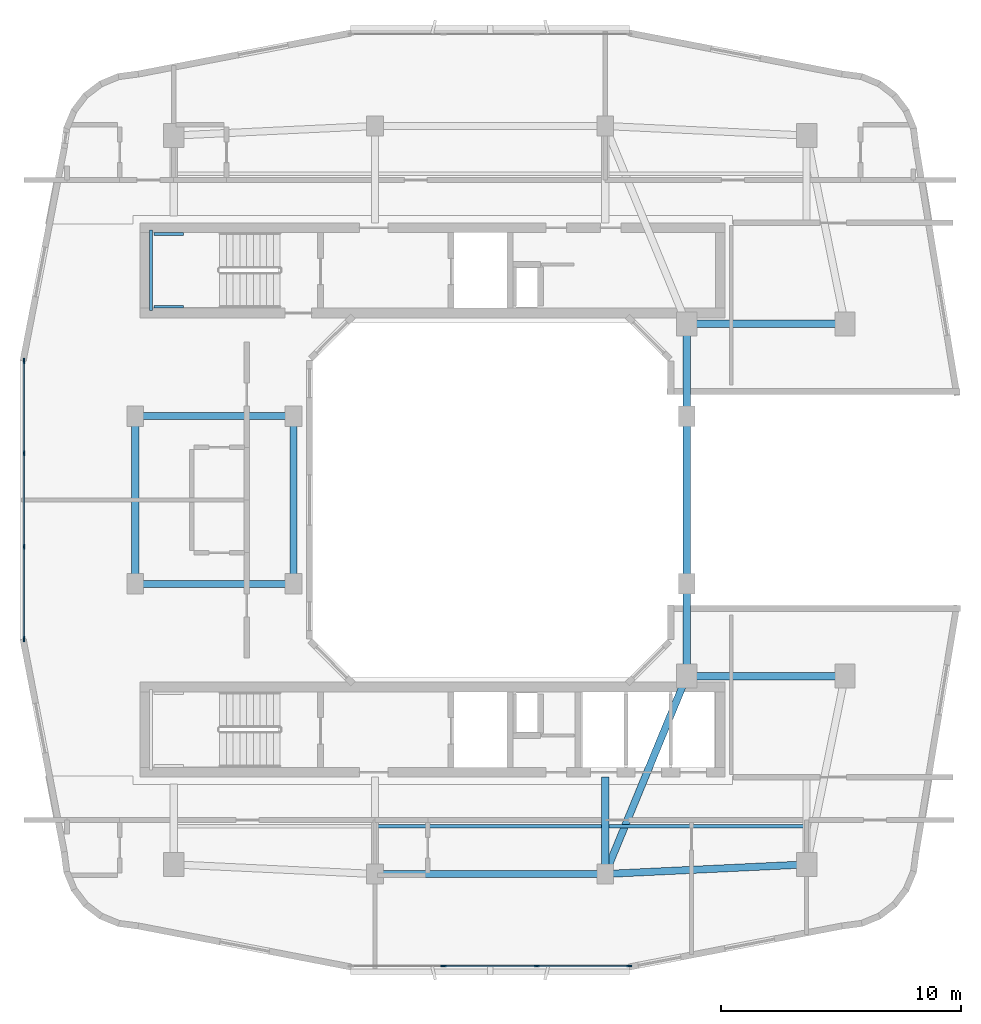
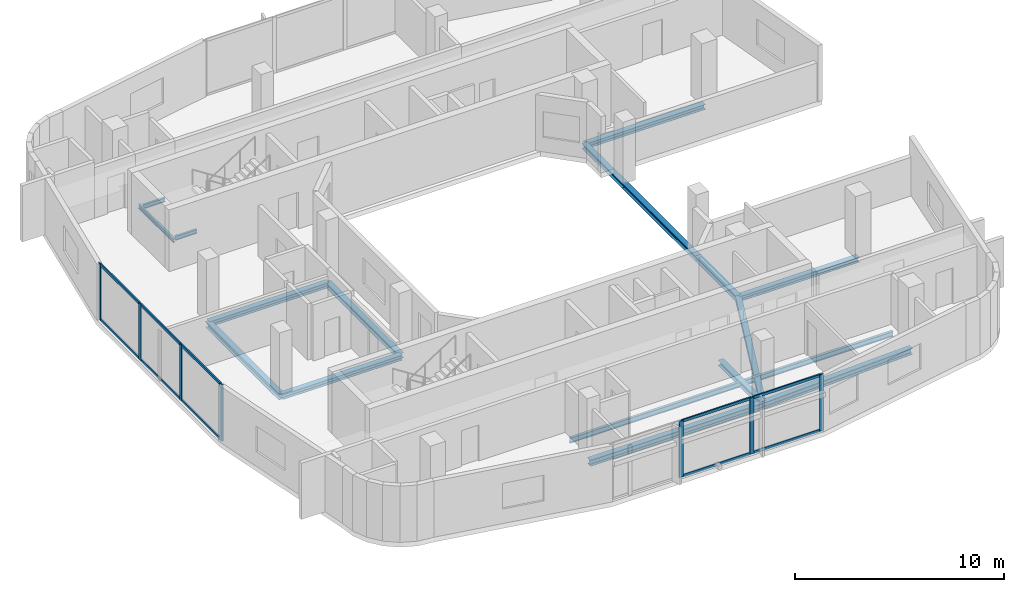
# One storey, part 2 of 12: 18 beams, 17 members, 2 elements without a shape of their own.
"""IFC4 building model written with IfcOpenShell, lengths in metres."""

from ifc_helpers import new_model, si_unit, derived_unit, direction, frame, origin, origin_2d, place, context, subcontext, project, spatial, rectangle, i_section, extrude, material, layer, layer_set, material_profile, profile_set, type_object, element, aggregate, save


model = new_model("IFC4")

# Units and contexts
model_context = context("Model", 3, precision=1e-05, world=origin(), true_north=direction((0.0, 1.0)))
body_context = subcontext(model_context, "Body", "Model", "MODEL_VIEW")
ifc_project = project(units=[si_unit("LENGTHUNIT", "METRE"), si_unit("AREAUNIT", "SQUARE_METRE"), si_unit("VOLUMEUNIT", "CUBIC_METRE"), si_unit("PLANEANGLEUNIT", "RADIAN"), si_unit("MASSUNIT", "GRAM", prefix="KILO"), derived_unit("THERMALTRANSMITTANCEUNIT", [(si_unit("POWERUNIT", "WATT"), 1), (si_unit("LENGTHUNIT", "METRE"), -2), (si_unit("THERMODYNAMICTEMPERATUREUNIT", "KELVIN"), -1)])], contexts=[model_context])

# Site, building, storey
site_placement = place(None, origin())
site = spatial("IfcSite", under=ifc_project, at=site_placement, CompositionType="ELEMENT")
building_placement = place(site_placement, origin())
building = spatial("IfcBuilding", under=site, at=building_placement, Name="Kivonza Crest Hotel", CompositionType="ELEMENT")
storey_placement = place(building_placement, frame((0.0, 0.0, 195.5)))
storey = spatial("IfcBuildingStorey", under=building, at=storey_placement, Name="L53", CompositionType="ELEMENT", Elevation=195.5)

# Beams
ifc_material_1 = material(Name="Steel S355", Category="steel")
ifc_material_profile_1 = material_profile(ifc_material_1, i_section(OverallWidth=0.300048828125, OverallDepth=0.300048828125, WebThickness=0.010986328125, FlangeThickness=0.01904296875, FilletRadius=0.027099609375, at=origin_2d()), Name="HEB 300")
ifc_profile_set_1 = profile_set([ifc_material_profile_1], Name="Steel S355")
beam_type_1 = type_object("IfcBeamType", Name="BM-HEB300", PredefinedType="BEAM", material=ifc_profile_set_1)
for number, where, z_axis, x_axis, name in (
    (1, (6.199951171875, 21.5, -0.429931640625), (1.0, 0.0, 0.0), (0.0, 1.0, 0.0), "Tower T1 L53 primary girder W1-WL1"),
    (2, (6.199951171875, 28.5, -0.429931640625), (1.0, 0.0, 0.0), (0.0, 1.0, 0.0), "Tower T1 L53 primary girder W2-WL2"),
):
    element("IfcBeam", number, at=place(storey_placement, frame(where, z_axis=z_axis, x_axis=x_axis)), inside=storey, type_object=beam_type_1, Name=name, PredefinedType="BEAM", context=body_context, shape_type="SweptSolid", body=[
        extrude(i_section(OverallWidth=0.300048828125, OverallDepth=0.300048828125, WebThickness=0.010986328125, FlangeThickness=0.01904296875, FilletRadius=0.027099609375, at=origin_2d()), origin(), (0.0, 0.0, 1.0), 6.60009765625),
    ])
beam_1_placement = place(storey_placement, frame((12.800048828125, 21.5, -0.429931640625), z_axis=(0.0, 1.0, 0.0), x_axis=(-1.0, 0.0, 0.0)))
element("IfcBeam", 3, at=beam_1_placement, inside=storey, type_object=beam_type_1, Name="Tower T1 L53 primary girder WL1-WL2", PredefinedType="BEAM", context=body_context, shape_type="SweptSolid", body=[
    extrude(i_section(OverallWidth=0.300048828125, OverallDepth=0.300048828125, WebThickness=0.010986328125, FlangeThickness=0.01904296875, FilletRadius=0.027099609375, at=origin_2d()), origin(), (0.0, 0.0, 1.0), 7.0),
])
beam_2_placement = place(storey_placement, frame((25.800048828125, 9.39990234375, -0.429931640625), z_axis=(0.381022260404, 0.924565864109, 0.0), x_axis=(-0.924565864109, 0.381022260404, 0.0)))
element("IfcBeam", 4, at=beam_2_placement, inside=storey, type_object=beam_type_1, Name="Tower T1 L53 primary girder S1-TSE", PredefinedType="BEAM", context=body_context, shape_type="SweptSolid", body=[
    extrude(i_section(OverallWidth=0.300048828125, OverallDepth=0.300048828125, WebThickness=0.010986328125, FlangeThickness=0.01904296875, FilletRadius=0.027099609375, at=origin_2d()), origin(), (0.0, 0.0, 1.0), 8.923095703125),
])
for number, where, z_axis, x_axis, name in (
    (5, (29.199951171875, 17.64990234375, -0.429931640625), (1.0, 0.0, 0.0), (0.0, 1.0, 0.0), "Tower T1 L53 primary girder TSE-PSE"),
    (6, (29.199951171875, 32.35009765625, -0.429931640625), (1.0, 0.0, 0.0), (0.0, 1.0, 0.0), "Tower T1 L53 primary girder TNE-PNE"),
):
    element("IfcBeam", number, at=place(storey_placement, frame(where, z_axis=z_axis, x_axis=x_axis)), inside=storey, type_object=beam_type_1, Name=name, PredefinedType="BEAM", context=body_context, shape_type="SweptSolid", body=[
        extrude(i_section(OverallWidth=0.300048828125, OverallDepth=0.300048828125, WebThickness=0.010986328125, FlangeThickness=0.01904296875, FilletRadius=0.027099609375, at=origin_2d()), origin(), (0.0, 0.0, 1.0), 6.60009765625),
    ])
beam_3_placement = place(storey_placement, frame((29.199951171875, 21.5, -0.429931640625), z_axis=(0.0, 1.0, 0.0), x_axis=(-1.0, 0.0, 0.0)))
element("IfcBeam", 7, at=beam_3_placement, inside=storey, type_object=beam_type_1, Name="Tower T1 L53 primary girder WR1-WR2", PredefinedType="BEAM", context=body_context, shape_type="SweptSolid", body=[
    extrude(i_section(OverallWidth=0.300048828125, OverallDepth=0.300048828125, WebThickness=0.010986328125, FlangeThickness=0.01904296875, FilletRadius=0.027099609375, at=origin_2d()), origin(), (0.0, 0.0, 1.0), 7.0),
])
for number, where, z_axis, x_axis, name in (
    (8, (29.199951171875, 17.64990234375, -0.429931640625), (0.0, 1.0, 0.0), (-1.0, 0.0, 0.0), "Tower T1 L53 primary girder TSE-WR1"),
    (9, (29.199951171875, 28.5, -0.429931640625), (0.0, 1.0, 0.0), (-1.0, 0.0, 0.0), "Tower T1 L53 primary girder WR2-TNE"),
):
    element("IfcBeam", number, at=place(storey_placement, frame(where, z_axis=z_axis, x_axis=x_axis)), inside=storey, type_object=beam_type_1, Name=name, PredefinedType="BEAM", context=body_context, shape_type="SweptSolid", body=[
        extrude(i_section(OverallWidth=0.300048828125, OverallDepth=0.300048828125, WebThickness=0.010986328125, FlangeThickness=0.01904296875, FilletRadius=0.027099609375, at=origin_2d()), origin(), (0.0, 0.0, 1.0), 3.85009765625),
    ])
beam_4_placement = place(storey_placement, frame((25.800048828125, 9.39990234375, -0.429931640625), z_axis=(0.0, 1.0, 0.0), x_axis=(-1.0, 0.0, 0.0)))
element("IfcBeam", 10, at=beam_4_placement, inside=storey, type_object=beam_type_1, Name="Tower T1 L53 radial core girder RS2", PredefinedType="BEAM", context=body_context, shape_type="SweptSolid", body=[
    extrude(i_section(OverallWidth=0.300048828125, OverallDepth=0.300048828125, WebThickness=0.010986328125, FlangeThickness=0.01904296875, FilletRadius=0.027099609375, at=origin_2d()), origin(), (0.0, 0.0, 1.0), 4.050048828125),
])
ifc_material_profile_2 = material_profile(ifc_material_1, i_section(OverallWidth=0.300048828125, OverallDepth=0.360107421875, WebThickness=0.012451171875, FlangeThickness=0.0224609375, FilletRadius=0.027099609375, at=origin_2d()), Name="HEB 360")
ifc_profile_set_2 = profile_set([ifc_material_profile_2], Name="Steel S355")
beam_type_2 = type_object("IfcBeamType", Name="BM-HEB360", PredefinedType="SPANDREL", material=ifc_profile_set_2)
beam_5_placement = place(storey_placement, frame((16.199951171875, 9.39990234375, -0.4599609375), z_axis=(1.0, 0.0, 0.0), x_axis=(0.0, 1.0, 0.0)))
element("IfcBeam", 11, at=beam_5_placement, inside=storey, type_object=beam_type_2, Name="Tower T1 L53 perimeter spandrel S1-S2", PredefinedType="SPANDREL", context=body_context, shape_type="SweptSolid", body=[
    extrude(i_section(OverallWidth=0.300048828125, OverallDepth=0.360107421875, WebThickness=0.012451171875, FlangeThickness=0.0224609375, FilletRadius=0.027099609375, at=origin_2d()), origin(), (0.0, 0.0, 1.0), 9.60009765625),
])
beam_6_placement = place(storey_placement, frame((25.800048828125, 9.39990234375, -0.4599609375), z_axis=(0.998867283688, 0.047583080799, 0.0), x_axis=(-0.047583080799, 0.998867283688, 0.0)))
element("IfcBeam", 12, at=beam_6_placement, inside=storey, type_object=beam_type_2, Name="Tower T1 L53 perimeter spandrel S2-SE", PredefinedType="SPANDREL", context=body_context, shape_type="SweptSolid", body=[
    extrude(i_section(OverallWidth=0.300048828125, OverallDepth=0.360107421875, WebThickness=0.012451171875, FlangeThickness=0.0224609375, FilletRadius=0.027099609375, at=origin_2d()), origin(), (0.0, 0.0, 1.0), 8.409423828125),
])
beam_7_placement = place(storey_placement, frame((6.199951171875, 28.5, -0.4599609375), z_axis=(0.0, -1.0, 0.0), x_axis=(1.0, 0.0, 0.0)))
element("IfcBeam", 13, at=beam_7_placement, inside=storey, type_object=beam_type_2, Name="Tower T1 L53 perimeter spandrel W2-W1", PredefinedType="SPANDREL", context=body_context, shape_type="SweptSolid", body=[
    extrude(i_section(OverallWidth=0.300048828125, OverallDepth=0.360107421875, WebThickness=0.012451171875, FlangeThickness=0.0224609375, FilletRadius=0.027099609375, at=origin_2d()), origin(), (0.0, 0.0, 1.0), 7.0),
])
ifc_material_profile_3 = material_profile(ifc_material_1, i_section(OverallWidth=0.14990234375, OverallDepth=0.300048828125, WebThickness=0.007080078125, FlangeThickness=0.0107421875, FilletRadius=0.014892578125, at=origin_2d()), Name="IPE 300")
ifc_profile_set_3 = profile_set([ifc_material_profile_3], Name="Steel S355")
beam_type_3 = type_object("IfcBeamType", Name="BM-IPE300", PredefinedType="JOIST", material=ifc_profile_set_3)
beam_8_placement = place(storey_placement, frame((16.280029296875, 11.39990234375, -0.429931640625), z_axis=(1.0, 0.0, 0.0), x_axis=(0.0, 1.0, 0.0)))
element("IfcBeam", 14, at=beam_8_placement, inside=storey, type_object=beam_type_3, Name="Tower T1 L53 South-Mid floor joist", PredefinedType="JOIST", context=body_context, shape_type="SweptSolid", body=[
    extrude(i_section(OverallWidth=0.14990234375, OverallDepth=0.300048828125, WebThickness=0.007080078125, FlangeThickness=0.0107421875, FilletRadius=0.014892578125, at=origin_2d()), origin(), (0.0, 0.0, 1.0), 9.43994140625),
])
beam_9_placement = place(storey_placement, frame((25.8798828125, 11.39990234375, -0.429931640625), z_axis=(1.0, 0.0, 0.0), x_axis=(0.0, 1.0, 0.0)))
element("IfcBeam", 15, at=beam_9_placement, inside=storey, type_object=beam_type_3, Name="Tower T1 L53 South-East floor joist", PredefinedType="JOIST", context=body_context, shape_type="SweptSolid", body=[
    extrude(i_section(OverallWidth=0.14990234375, OverallDepth=0.300048828125, WebThickness=0.007080078125, FlangeThickness=0.0107421875, FilletRadius=0.014892578125, at=origin_2d()), origin(), (0.0, 0.0, 1.0), 8.240234375),
])
ifc_material_profile_4 = material_profile(ifc_material_1, i_section(OverallWidth=0.1201171875, OverallDepth=0.239990234375, WebThickness=0.006103515625, FlangeThickness=0.009765625, FilletRadius=0.014892578125, at=origin_2d()), Name="IPE 240")
ifc_profile_set_4 = profile_set([ifc_material_profile_4], Name="Steel S355")
beam_type_4 = type_object("IfcBeamType", Name="BM-LLDG-240", PredefinedType="BEAM", material=ifc_profile_set_4)
beam_10_placement = place(storey_placement, frame((6.860107421875, 32.89990234375, 1.47998046875), z_axis=(0.0, 1.0, 0.0), x_axis=(-1.0, 0.0, 0.0)))
element("IfcBeam", 16, at=beam_10_placement, inside=storey, type_object=beam_type_4, Name="Stair ST-T1-N L53 West landing corbel", PredefinedType="BEAM", context=body_context, shape_type="SweptSolid", body=[
    extrude(i_section(OverallWidth=0.1201171875, OverallDepth=0.239990234375, WebThickness=0.006103515625, FlangeThickness=0.009765625, FilletRadius=0.014892578125, at=origin_2d()), origin(), (0.0, 0.0, 1.0), 3.360107421875),
])
for number, where, z_axis, x_axis, name in (
    (17, (6.989990234375, 33.06005859375, 1.47998046875), (1.0, 0.0, 0.0), (0.0, 1.0, 0.0), "Stair ST-T1-N L53 South landing corbel"),
    (18, (6.989990234375, 36.10009765625, 1.47998046875), (1.0, 0.0, 0.0), (0.0, 1.0, 0.0), "Stair ST-T1-N L53 North landing corbel"),
):
    element("IfcBeam", number, at=place(storey_placement, frame(where, z_axis=z_axis, x_axis=x_axis)), inside=storey, type_object=beam_type_4, Name=name, PredefinedType="BEAM", context=body_context, shape_type="SweptSolid", body=[
        extrude(i_section(OverallWidth=0.1201171875, OverallDepth=0.239990234375, WebThickness=0.006103515625, FlangeThickness=0.009765625, FilletRadius=0.014892578125, at=origin_2d()), origin(), (0.0, 0.0, 1.0), 1.2099609375),
    ])

# Curtain wall, members
ifc_material_2 = material(Name="Anodised bronze aluminium and low-E double glazing", Category="aluminium")
ifc_layer = layer(ifc_material_2, 0.179931640625)
ifc_layer_set = layer_set([ifc_layer], Name="Anodised bronze aluminium and low-E double glazing")
curtain_wall_type = type_object("IfcCurtainWallType", Name="CW-SYS-3", PredefinedType="NOTDEFINED", material=ifc_layer_set)
curtain_wall_1_placement = place(storey_placement, origin())
curtain_wall_1 = element("IfcCurtainWall", 19, at=curtain_wall_1_placement, inside=storey, type_object=curtain_wall_type, Name="L53 unitised curtain wall CW-T1-L53-08", PredefinedType="NOTDEFINED")
ifc_material_3 = material(Name="Anodised bronze aluminium", Category="aluminium")
ifc_material_profile_5 = material_profile(ifc_material_3, rectangle(XDim=0.074951171875, YDim=0.219970703125, at=origin_2d()), Name="CW-M 75x220")
ifc_profile_set_5 = profile_set([ifc_material_profile_5], Name="Anodised bronze aluminium")
member_type_1 = type_object("IfcMemberType", Name="CW-MUL-75x220", PredefinedType="MULLION", material=ifc_profile_set_5)
member_1_placement = place(storey_placement, frame((19.05322265625, 5.56005859375, 0.0), z_axis=(0.0, 0.0, 1.0), x_axis=(0.0, 1.0, 0.0)))
member_1 = element("IfcMember", 20, at=member_1_placement, type_object=member_type_1, Name="CW-3 mullion 2", PredefinedType="MULLION", context=body_context, shape_type="SweptSolid", body=[
    extrude(rectangle(XDim=0.074951171875, YDim=0.219970703125, at=origin_2d()), origin(), (0.0, 0.0, 1.0), 3.280029296875),
])
member_2_placement = place(storey_placement, frame((22.94677734375, 5.56005859375, 0.0), z_axis=(0.0, 0.0, 1.0), x_axis=(0.0, 1.0, 0.0)))
member_2 = element("IfcMember", 21, at=member_2_placement, type_object=member_type_1, Name="CW-3 mullion 3", PredefinedType="MULLION", context=body_context, shape_type="SweptSolid", body=[
    extrude(rectangle(XDim=0.074951171875, YDim=0.219970703125, at=origin_2d()), origin(), (0.0, 0.0, 1.0), 3.280029296875),
])
member_3_placement = place(storey_placement, frame((26.802490234375, 5.56005859375, 0.0), z_axis=(0.0, 0.0, 1.0), x_axis=(0.0, 1.0, 0.0)))
member_3 = element("IfcMember", 22, at=member_3_placement, type_object=member_type_1, Name="CW-3 mullion 4", PredefinedType="MULLION", context=body_context, shape_type="SweptSolid", body=[
    extrude(rectangle(XDim=0.074951171875, YDim=0.219970703125, at=origin_2d()), origin(), (0.0, 0.0, 1.0), 3.280029296875),
])

curtain_wall_2_placement = place(storey_placement, origin())
curtain_wall_2 = element("IfcCurtainWall", 23, at=curtain_wall_2_placement, inside=storey, type_object=curtain_wall_type, Name="L53 unitised curtain wall CW-T1-L53-45", PredefinedType="NOTDEFINED")
member_4_placement = place(storey_placement, frame((1.56005859375, 30.802490234375, 0.0), z_axis=(0.0, 0.0, 1.0), x_axis=(1.0, 0.0, 0.0)))
member_4 = element("IfcMember", 24, at=member_4_placement, type_object=member_type_1, Name="CW-3 mullion 1", PredefinedType="MULLION", context=body_context, shape_type="SweptSolid", body=[
    extrude(rectangle(XDim=0.074951171875, YDim=0.219970703125, at=origin_2d()), origin(), (0.0, 0.0, 1.0), 3.280029296875),
])
member_5_placement = place(storey_placement, frame((1.56005859375, 26.94677734375, 0.0), z_axis=(0.0, 0.0, 1.0), x_axis=(1.0, 0.0, 0.0)))
member_5 = element("IfcMember", 25, at=member_5_placement, type_object=member_type_1, Name="CW-3 mullion 2", PredefinedType="MULLION", context=body_context, shape_type="SweptSolid", body=[
    extrude(rectangle(XDim=0.074951171875, YDim=0.219970703125, at=origin_2d()), origin(), (0.0, 0.0, 1.0), 3.280029296875),
])
member_6_placement = place(storey_placement, frame((1.56005859375, 23.05322265625, 0.0), z_axis=(0.0, 0.0, 1.0), x_axis=(1.0, 0.0, 0.0)))
member_6 = element("IfcMember", 26, at=member_6_placement, type_object=member_type_1, Name="CW-3 mullion 3", PredefinedType="MULLION", context=body_context, shape_type="SweptSolid", body=[
    extrude(rectangle(XDim=0.074951171875, YDim=0.219970703125, at=origin_2d()), origin(), (0.0, 0.0, 1.0), 3.280029296875),
])
member_7_placement = place(storey_placement, frame((1.56005859375, 19.197509765625, 0.0), z_axis=(0.0, 0.0, 1.0), x_axis=(1.0, 0.0, 0.0)))
member_7 = element("IfcMember", 27, at=member_7_placement, type_object=member_type_1, Name="CW-3 mullion 4", PredefinedType="MULLION", context=body_context, shape_type="SweptSolid", body=[
    extrude(rectangle(XDim=0.074951171875, YDim=0.219970703125, at=origin_2d()), origin(), (0.0, 0.0, 1.0), 3.280029296875),
])

# Member
ifc_material_profile_6 = material_profile(ifc_material_3, rectangle(XDim=0.074951171875, YDim=0.159912109375, at=origin_2d()), Name="CW-T 75x160")
ifc_profile_set_6 = profile_set([ifc_material_profile_6], Name="Anodised bronze aluminium")
member_type_2 = type_object("IfcMemberType", Name="CW-TRN-75x160", PredefinedType="USERDEFINED", material=ifc_profile_set_6)
member_8_placement = place(storey_placement, frame((19.0908203125, 5.56005859375, 0.03759765625), z_axis=(1.0, 0.0, 0.0), x_axis=(0.0, 1.0, 0.0)))
member_8 = element("IfcMember", 28, at=member_8_placement, type_object=member_type_2, Name="CW-3 transom 2.1", ObjectType="TRANSOM", PredefinedType="USERDEFINED", context=body_context, shape_type="SweptSolid", body=[
    extrude(rectangle(XDim=0.074951171875, YDim=0.159912109375, at=origin_2d()), origin(), (0.0, 0.0, 1.0), 3.818359375),
])

member_9_placement = place(storey_placement, frame((19.0908203125, 5.56005859375, 3.242431640625), z_axis=(1.0, 0.0, 0.0), x_axis=(0.0, 1.0, 0.0)))
member_9 = element("IfcMember", 29, at=member_9_placement, type_object=member_type_2, Name="CW-3 transom 2.2", ObjectType="TRANSOM", PredefinedType="USERDEFINED", context=body_context, shape_type="SweptSolid", body=[
    extrude(rectangle(XDim=0.074951171875, YDim=0.159912109375, at=origin_2d()), origin(), (0.0, 0.0, 1.0), 3.818359375),
])

member_10_placement = place(storey_placement, frame((22.984130859375, 5.56005859375, 0.03759765625), z_axis=(1.0, 0.0, 0.0), x_axis=(0.0, 1.0, 0.0)))
member_10 = element("IfcMember", 30, at=member_10_placement, type_object=member_type_2, Name="CW-3 transom 3.1", ObjectType="TRANSOM", PredefinedType="USERDEFINED", context=body_context, shape_type="SweptSolid", body=[
    extrude(rectangle(XDim=0.074951171875, YDim=0.159912109375, at=origin_2d()), origin(), (0.0, 0.0, 1.0), 3.78076171875),
])

member_11_placement = place(storey_placement, frame((22.984130859375, 5.56005859375, 3.242431640625), z_axis=(1.0, 0.0, 0.0), x_axis=(0.0, 1.0, 0.0)))
member_11 = element("IfcMember", 31, at=member_11_placement, type_object=member_type_2, Name="CW-3 transom 3.2", ObjectType="TRANSOM", PredefinedType="USERDEFINED", context=body_context, shape_type="SweptSolid", body=[
    extrude(rectangle(XDim=0.074951171875, YDim=0.159912109375, at=origin_2d()), origin(), (0.0, 0.0, 1.0), 3.78076171875),
])

aggregate(curtain_wall_1, [member_1, member_2, member_3, member_8, member_9, member_10, member_11])

member_12_placement = place(storey_placement, frame((1.56005859375, 30.764892578125, 0.03759765625), z_axis=(0.0, -1.0, 0.0), x_axis=(1.0, 0.0, 0.0)))
member_12 = element("IfcMember", 32, at=member_12_placement, type_object=member_type_2, Name="CW-3 transom 1.1", ObjectType="TRANSOM", PredefinedType="USERDEFINED", context=body_context, shape_type="SweptSolid", body=[
    extrude(rectangle(XDim=0.074951171875, YDim=0.159912109375, at=origin_2d()), origin(), (0.0, 0.0, 1.0), 3.78076171875),
])

member_13_placement = place(storey_placement, frame((1.56005859375, 30.764892578125, 3.242431640625), z_axis=(0.0, -1.0, 0.0), x_axis=(1.0, 0.0, 0.0)))
member_13 = element("IfcMember", 33, at=member_13_placement, type_object=member_type_2, Name="CW-3 transom 1.2", ObjectType="TRANSOM", PredefinedType="USERDEFINED", context=body_context, shape_type="SweptSolid", body=[
    extrude(rectangle(XDim=0.074951171875, YDim=0.159912109375, at=origin_2d()), origin(), (0.0, 0.0, 1.0), 3.78076171875),
])

member_14_placement = place(storey_placement, frame((1.56005859375, 26.9091796875, 0.03759765625), z_axis=(0.0, -1.0, 0.0), x_axis=(1.0, 0.0, 0.0)))
member_14 = element("IfcMember", 34, at=member_14_placement, type_object=member_type_2, Name="CW-3 transom 2.1", ObjectType="TRANSOM", PredefinedType="USERDEFINED", context=body_context, shape_type="SweptSolid", body=[
    extrude(rectangle(XDim=0.074951171875, YDim=0.159912109375, at=origin_2d()), origin(), (0.0, 0.0, 1.0), 3.818359375),
])

member_15_placement = place(storey_placement, frame((1.56005859375, 26.9091796875, 3.242431640625), z_axis=(0.0, -1.0, 0.0), x_axis=(1.0, 0.0, 0.0)))
member_15 = element("IfcMember", 35, at=member_15_placement, type_object=member_type_2, Name="CW-3 transom 2.2", ObjectType="TRANSOM", PredefinedType="USERDEFINED", context=body_context, shape_type="SweptSolid", body=[
    extrude(rectangle(XDim=0.074951171875, YDim=0.159912109375, at=origin_2d()), origin(), (0.0, 0.0, 1.0), 3.818359375),
])

member_16_placement = place(storey_placement, frame((1.56005859375, 23.015869140625, 0.03759765625), z_axis=(0.0, -1.0, 0.0), x_axis=(1.0, 0.0, 0.0)))
member_16 = element("IfcMember", 36, at=member_16_placement, type_object=member_type_2, Name="CW-3 transom 3.1", ObjectType="TRANSOM", PredefinedType="USERDEFINED", context=body_context, shape_type="SweptSolid", body=[
    extrude(rectangle(XDim=0.074951171875, YDim=0.159912109375, at=origin_2d()), origin(), (0.0, 0.0, 1.0), 3.78076171875),
])

member_17_placement = place(storey_placement, frame((1.56005859375, 23.015869140625, 3.242431640625), z_axis=(0.0, -1.0, 0.0), x_axis=(1.0, 0.0, 0.0)))
member_17 = element("IfcMember", 37, at=member_17_placement, type_object=member_type_2, Name="CW-3 transom 3.2", ObjectType="TRANSOM", PredefinedType="USERDEFINED", context=body_context, shape_type="SweptSolid", body=[
    extrude(rectangle(XDim=0.074951171875, YDim=0.159912109375, at=origin_2d()), origin(), (0.0, 0.0, 1.0), 3.78076171875),
])

aggregate(curtain_wall_2, [member_4, member_5, member_6, member_7, member_12, member_13, member_14, member_15, member_16, member_17])

save(model, "model.ifc")
